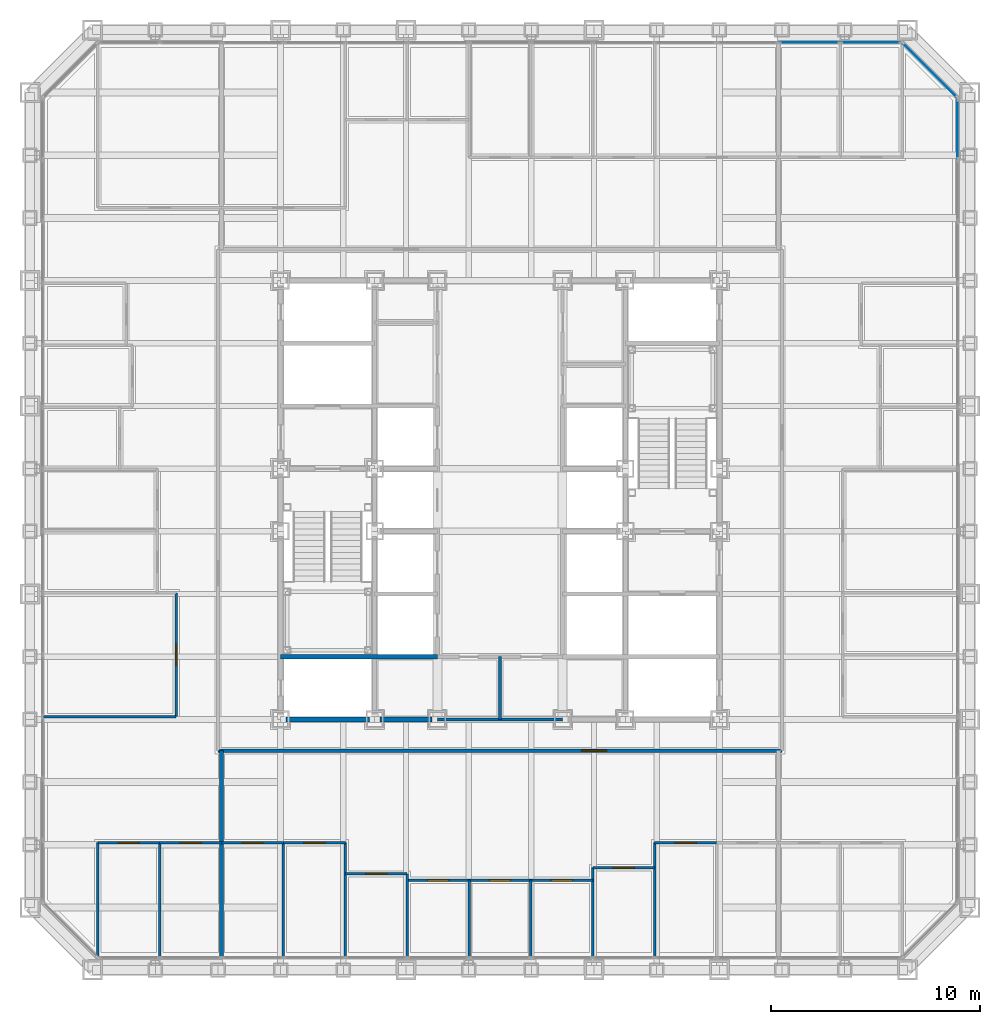
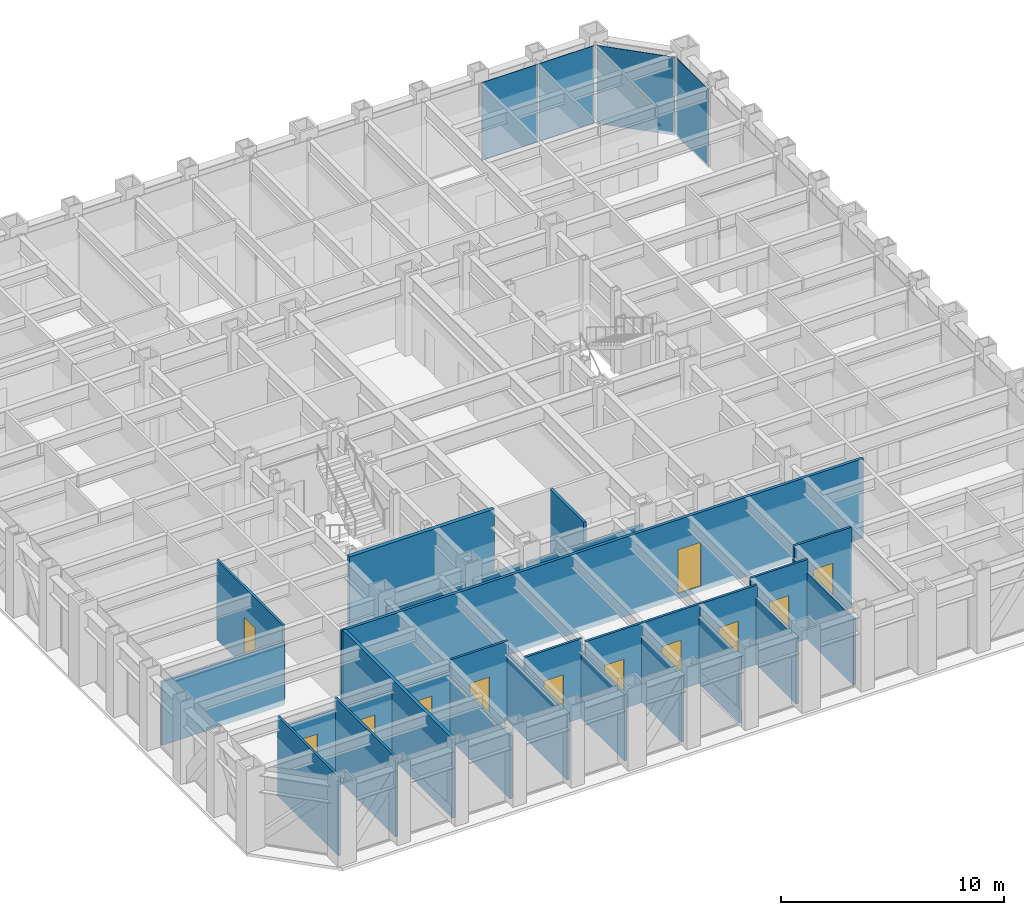
# One storey, part 8 of 16: 28 walls, 12 doors, 4 plates, 12 openings, 3 elements without a shape of their own.
"""IFC4 building model written with IfcOpenShell, lengths in metres."""

from ifc_helpers import new_model, si_unit, direction, frame, frame_2d, origin, origin_2d, place, context, subcontext, project, spatial, rectangle, extrude, material, layer, layer_set, type_object, element, fill, aggregate, save


model = new_model("IFC4")

# Units and contexts
model_context = context("Model", 3, precision=1e-05, world=origin(), true_north=direction((0.0, 1.0)))
body_context = subcontext(model_context, "Body", "Model", "MODEL_VIEW")
ifc_project = project(units=[si_unit("LENGTHUNIT", "METRE"), si_unit("AREAUNIT", "SQUARE_METRE"), si_unit("VOLUMEUNIT", "CUBIC_METRE"), si_unit("PLANEANGLEUNIT", "RADIAN"), si_unit("MASSUNIT", "GRAM", prefix="KILO")], contexts=[model_context])

# Site, building, storey
site_placement = place(None, origin())
site = spatial("IfcSite", under=ifc_project, at=site_placement, CompositionType="ELEMENT")
building_placement = place(site_placement, origin())
building = spatial("IfcBuilding", under=site, at=building_placement, Name="Chuquiago Exchange Tower", CompositionType="ELEMENT")
storey_placement = place(building_placement, frame((0.0, 0.0, 78.300048828125)))
storey = spatial("IfcBuildingStorey", under=building, at=storey_placement, Name="L16", CompositionType="ELEMENT", Elevation=78.300048828125)

# Curtain wall, plate
ifc_material_1 = material(Name="Aluminium curtain wall system", Category="aluminium")
ifc_layer_1 = layer(ifc_material_1, 0.25)
ifc_layer_set_1 = layer_set([ifc_layer_1], Name="CW1 trading floor curtain wall")
curtain_wall_type_1 = type_object("IfcCurtainWallType", Name="CW1 trading floor curtain wall", PredefinedType="NOTDEFINED", material=ifc_layer_set_1)
curtain_wall_1_placement = place(storey_placement, origin())
curtain_wall_1 = element("IfcCurtainWall", 1, at=curtain_wall_1_placement, inside=storey, type_object=curtain_wall_type_1, Name="CW1 curtain wall L16", PredefinedType="NOTDEFINED")
ifc_material_2 = material(Name="Insulated spandrel panel, pale anodised aluminium", Category="aluminium")
ifc_layer_2 = layer(ifc_material_2, 0.031982421875)
ifc_layer_set_2 = layer_set([ifc_layer_2], Name="CW1-P spandrel panel 32")
plate_type_1 = type_object("IfcPlateType", Name="CW1-P spandrel panel 32", PredefinedType="CURTAIN_PANEL", material=ifc_layer_set_2)
plate_1_placement = place(storey_placement, frame((44.39990234375, 40.251953125, -0.22509765625), z_axis=(0.0, 0.0, 1.0), x_axis=(0.0, 1.0, 0.0)))
plate_1 = element("IfcPlate", 2, at=plate_1_placement, type_object=plate_type_1, Name="CW1 panel 13.1", PredefinedType="CURTAIN_PANEL", context=body_context, shape_type="SweptSolid", body=[
    extrude(rectangle(XDim=2.849365234375, YDim=0.031982421875, at=origin_2d()), origin(), (0.0, 0.0, 1.0), 4.264892578125),
])
aggregate(curtain_wall_1, [plate_1])

# Curtain wall, plates
curtain_wall_2_placement = place(storey_placement, origin())
curtain_wall_2 = element("IfcCurtainWall", 3, at=curtain_wall_2_placement, inside=storey, type_object=curtain_wall_type_1, Name="CW1 curtain wall L16", PredefinedType="NOTDEFINED")
plate_2_placement = place(storey_placement, frame((40.251953125, 44.39990234375, -0.22509765625), z_axis=(0.0, 0.0, 1.0), x_axis=(-1.0, 0.0, 0.0)))
plate_2 = element("IfcPlate", 4, at=plate_2_placement, type_object=plate_type_1, Name="CW1 panel 1.1", PredefinedType="CURTAIN_PANEL", context=body_context, shape_type="SweptSolid", body=[
    extrude(rectangle(XDim=2.849365234375, YDim=0.031982421875, at=origin_2d()), origin(), (0.0, 0.0, 1.0), 4.264892578125),
])
plate_3_placement = place(storey_placement, frame((37.308837890625, 44.39990234375, -0.22509765625), z_axis=(0.0, 0.0, 1.0), x_axis=(-1.0, 0.0, 0.0)))
plate_3 = element("IfcPlate", 5, at=plate_3_placement, type_object=plate_type_1, Name="CW1 panel 2.1", PredefinedType="CURTAIN_PANEL", context=body_context, shape_type="SweptSolid", body=[
    extrude(rectangle(XDim=2.88671875, YDim=0.031982421875, at=origin_2d()), origin(), (0.0, 0.0, 1.0), 4.264892578125),
])
aggregate(curtain_wall_2, [plate_2, plate_3])

# Curtain wall, plate
ifc_material_3 = material(Name="Aluminium curtain wall system", Category="aluminium")
ifc_layer_3 = layer(ifc_material_3, 0.199951171875)
ifc_layer_set_3 = layer_set([ifc_layer_3], Name="CW3 facet curtain wall")
curtain_wall_type_2 = type_object("IfcCurtainWallType", Name="CW3 facet curtain wall", PredefinedType="NOTDEFINED", material=ifc_layer_set_3)
curtain_wall_3_placement = place(storey_placement, origin())
curtain_wall_3 = element("IfcCurtainWall", 6, at=curtain_wall_3_placement, inside=storey, type_object=curtain_wall_type_2, Name="CW3 curtain wall L16", PredefinedType="NOTDEFINED")
ifc_material_4 = material(Name="Insulated spandrel panel, pale anodised aluminium", Category="aluminium")
ifc_layer_4 = layer(ifc_material_4, 0.030029296875)
ifc_layer_set_4 = layer_set([ifc_layer_4], Name="CW3-P spandrel panel 30")
plate_type_2 = type_object("IfcPlateType", Name="CW3-P spandrel panel 30", PredefinedType="CURTAIN_PANEL", material=ifc_layer_set_4)
plate_4_placement = place(storey_placement, frame((43.07568359375, 43.07568359375, -0.235107421875), z_axis=(0.0, 0.0, 1.0), x_axis=(-0.707106781187, 0.707106781187, 0.0)))
plate_4 = element("IfcPlate", 7, at=plate_4_placement, type_object=plate_type_2, Name="CW3 panel 1.1", PredefinedType="CURTAIN_PANEL", context=body_context, shape_type="SweptSolid", body=[
    extrude(rectangle(XDim=3.615478515625, YDim=0.030029296875, at=origin_2d()), origin(), (0.0, 0.0, 1.0), 4.27490234375),
])
aggregate(curtain_wall_3, [plate_4])

# Walls
ifc_material_5 = material(Name="Concrete masonry, fully grouted", Category="masonry")
ifc_layer_5 = layer(ifc_material_5, 0.25)
ifc_layer_set_5 = layer_set([ifc_layer_5], Name="W1 core wall 250")
wall_type_1 = type_object("IfcWallType", Name="W1 core wall 250", PredefinedType="SOLIDWALL", material=ifc_layer_set_5)
wall_1_placement = place(storey_placement, frame((12.25, 12.0, 0.0), z_axis=(0.0, 0.0, 1.0), x_axis=(1.0, 0.0, 0.0)))
element("IfcWall", 8, at=wall_1_placement, inside=storey, type_object=wall_type_1, Name="CW-L16-01-0", PredefinedType="SOLIDWALL", context=body_context, shape_type="SweptSolid", body=[
    extrude(rectangle(XDim=4.0, YDim=0.25, at=frame_2d((2.0, 0.0))), origin(), (0.0, 0.0, 1.0), 3.181396484375),
])
wall_2_placement = place(storey_placement, frame((16.75, 12.0, 0.0), z_axis=(0.0, 0.0, 1.0), x_axis=(1.0, 0.0, 0.0)))
element("IfcWall", 9, at=wall_2_placement, inside=storey, type_object=wall_type_1, Name="CW-L16-01-1", PredefinedType="SOLIDWALL", context=body_context, shape_type="SweptSolid", body=[
    extrude(rectangle(XDim=2.5, YDim=0.25, at=frame_2d((1.25, 0.0))), origin(), (0.0, 0.0, 1.0), 3.181396484375),
])

# Wall, opening, door
ifc_material_6 = material(Name="Gypsum board on steel studs, acoustic insulation", Category="steel")
ifc_layer_6 = layer(ifc_material_6, 0.14990234375)
ifc_layer_set_6 = layer_set([ifc_layer_6], Name="W11 corridor wall 150")
wall_type_2 = type_object("IfcWallType", Name="W11 corridor wall 150", PredefinedType="PARTITIONING", material=ifc_layer_set_6)
wall_3_placement = place(storey_placement, frame((9.0, 10.5, -0.300048828125), z_axis=(0.0, 0.0, 1.0), x_axis=(1.0, 0.0, 0.0)))
wall_3 = element("IfcWall", 10, at=wall_3_placement, inside=storey, type_object=wall_type_2, Name="PW-L16-CS", PredefinedType="PARTITIONING", context=body_context, shape_type="SweptSolid", body=[
    extrude(rectangle(XDim=27.0, YDim=0.14990234375, at=frame_2d((13.5, 0.0))), origin(), (0.0, 0.0, 1.0), 4.340087890625),
])
opening_1_placement = place(wall_3_placement, frame((17.39990234375, 0.0, 0.300048828125)))
opening_1 = element("IfcOpeningElement", 11, at=opening_1_placement, cuts=wall_3, Name="Opening L16-056", PredefinedType="OPENING", context=body_context, shape_type="SweptSolid", body=[
    extrude(rectangle(XDim=1.199951171875, YDim=2.39990234375, at=frame_2d((0.60009765625, 1.199951171875))), frame((0.0, 0.0849609375, 0.0), z_axis=(0.0, -1.0, 0.0), x_axis=(1.0, 0.0, 0.0)), (0.0, 0.0, 1.0), 0.169921875),
])
ifc_material_7 = material(Name="Timber door, laminate faced", Category="wood")
door_type_1 = type_object("IfcDoorType", Name="D13 suite entrance door 1200x2400", OperationType="SINGLE_SWING_LEFT", PredefinedType="DOOR", material=ifc_material_7)
door_1_placement = place(opening_1_placement, frame((1.199951171875, 0.0, 0.0), z_axis=(0.0, 0.0, 1.0), x_axis=(-1.0, 0.0, 0.0)))
door_1 = element("IfcDoor", 12, at=door_1_placement, inside=storey, type_object=door_type_1, Name="South suite entrance door", OperationType="SINGLE_SWING_LEFT", OverallHeight=2.39990234375, OverallWidth=1.199951171875, PredefinedType="DOOR", context=body_context, shape_type="SweptSolid", body=[
    extrude(rectangle(XDim=1.199951171875, YDim=2.39990234375, at=frame_2d((0.60009765625, 1.199951171875))), frame((0.0, 0.02490234375, 0.0), z_axis=(0.0, -1.0, 0.0), x_axis=(1.0, 0.0, 0.0)), (0.0, 0.0, 1.0), 0.050048828125),
])
fill(opening_1, door_1)

# Walls
ifc_material_8 = material(Name="Gypsum board on twin steel studs, acoustic insulation", Category="steel")
ifc_layer_7 = layer(ifc_material_8, 0.175048828125)
ifc_layer_set_7 = layer_set([ifc_layer_7], Name="W12 tenant demising wall 175")
wall_type_3 = type_object("IfcWallType", Name="W12 tenant demising wall 175", PredefinedType="PARTITIONING", material=ifc_layer_set_7)
wall_4_placement = place(storey_placement, frame((9.172119140625, 0.657470703125, -0.300048828125), z_axis=(0.0, 0.0, 1.0), x_axis=(0.0, 1.0, 0.0)))
element("IfcWall", 13, at=wall_4_placement, inside=storey, type_object=wall_type_3, Name="PW-L16-DS00917", PredefinedType="PARTITIONING", context=body_context, shape_type="SweptSolid", body=[
    extrude(rectangle(XDim=9.842529296875, YDim=0.175048828125, at=frame_2d((4.92138671875, 0.0))), origin(), (0.0, 0.0, 1.0), 4.340087890625),
])
ifc_material_9 = material(Name="Concrete masonry, fully grouted", Category="masonry")
ifc_layer_8 = layer(ifc_material_9, 0.199951171875)
ifc_layer_set_8 = layer_set([ifc_layer_8], Name="W2 shaft wall 200")
wall_type_4 = type_object("IfcWallType", Name="W2 shaft wall 200", PredefinedType="SOLIDWALL", material=ifc_layer_set_8)
wall_5_placement = place(storey_placement, frame((12.0, 15.0, 0.0), z_axis=(0.0, 0.0, 1.0), x_axis=(1.0, 0.0, 0.0)))
element("IfcWall", 14, at=wall_5_placement, inside=storey, type_object=wall_type_4, Name="CW-L16-03-0", PredefinedType="SOLIDWALL", context=body_context, shape_type="SweptSolid", body=[
    extrude(rectangle(XDim=7.5, YDim=0.199951171875, at=frame_2d((3.75, 0.0))), origin(), (0.0, 0.0, 1.0), 4.33984375),
])
ifc_material_10 = material(Name="Gypsum board on steel studs", Category="steel")
ifc_layer_9 = layer(ifc_material_10, 0.14990234375)
ifc_layer_set_9 = layer_set([ifc_layer_9], Name="W3 core partition 150")
wall_type_5 = type_object("IfcWallType", Name="W3 core partition 150", PredefinedType="PARTITIONING", material=ifc_layer_set_9)
wall_6_placement = place(storey_placement, frame((22.5, 15.0, 0.0), z_axis=(0.0, 0.0, 1.0), x_axis=(0.0, -1.0, 0.0)))
element("IfcWall", 15, at=wall_6_placement, inside=storey, type_object=wall_type_5, Name="CW-L16-TM", PredefinedType="PARTITIONING", context=body_context, shape_type="SweptSolid", body=[
    extrude(rectangle(XDim=3.0, YDim=0.14990234375, at=frame_2d((1.5, 0.0))), origin(), (0.0, 0.0, 1.0), 4.33984375),
])
wall_7_placement = place(storey_placement, frame((19.5, 12.0, 0.0), z_axis=(0.0, 0.0, 1.0), x_axis=(1.0, 0.0, 0.0)))
element("IfcWall", 16, at=wall_7_placement, inside=storey, type_object=wall_type_5, Name="CW-L16-TB", PredefinedType="PARTITIONING", context=body_context, shape_type="SweptSolid", body=[
    extrude(rectangle(XDim=6.0, YDim=0.14990234375, at=frame_2d((3.0, 0.0))), origin(), (0.0, 0.0, 1.0), 3.181396484375),
])
ifc_material_11 = material(Name="Gypsum board on steel studs", Category="steel")
ifc_layer_10 = layer(ifc_material_11, 0.1201171875)
ifc_layer_set_10 = layer_set([ifc_layer_10], Name="W4 partition 120")
wall_type_6 = type_object("IfcWallType", Name="W4 partition 120", PredefinedType="PARTITIONING", material=ifc_layer_set_10)
wall_8_placement = place(storey_placement, frame((3.24853515625, 0.666015625, -0.300048828125), z_axis=(0.0, 0.0, 1.0), x_axis=(0.0, 1.0, 0.0)))
element("IfcWall", 17, at=wall_8_placement, inside=storey, type_object=wall_type_6, Name="PW-L16-S00325", PredefinedType="PARTITIONING", context=body_context, shape_type="SweptSolid", body=[
    extrude(rectangle(XDim=5.43408203125, YDim=0.1201171875, at=frame_2d((2.717041015625, 0.0))), origin(), (0.0, 0.0, 1.0), 4.340087890625),
])
wall_9_placement = place(storey_placement, frame((6.210205078125, 0.657470703125, -0.300048828125), z_axis=(0.0, 0.0, 1.0), x_axis=(0.0, 1.0, 0.0)))
element("IfcWall", 18, at=wall_9_placement, inside=storey, type_object=wall_type_6, Name="PW-L16-S00621", PredefinedType="PARTITIONING", context=body_context, shape_type="SweptSolid", body=[
    extrude(rectangle(XDim=5.442626953125, YDim=0.1201171875, at=frame_2d((2.72119140625, 0.0))), origin(), (0.0, 0.0, 1.0), 4.340087890625),
])
wall_10_placement = place(storey_placement, frame((12.1337890625, 0.657470703125, -0.300048828125), z_axis=(0.0, 0.0, 1.0), x_axis=(0.0, 1.0, 0.0)))
element("IfcWall", 19, at=wall_10_placement, inside=storey, type_object=wall_type_6, Name="PW-L16-S01213", PredefinedType="PARTITIONING", context=body_context, shape_type="SweptSolid", body=[
    extrude(rectangle(XDim=5.442626953125, YDim=0.1201171875, at=frame_2d((2.72119140625, 0.0))), origin(), (0.0, 0.0, 1.0), 3.4814453125),
])
wall_11_placement = place(storey_placement, frame((15.095703125, 0.657470703125, -0.300048828125), z_axis=(0.0, 0.0, 1.0), x_axis=(0.0, 1.0, 0.0)))
element("IfcWall", 20, at=wall_11_placement, inside=storey, type_object=wall_type_6, Name="PW-L16-S01510", PredefinedType="PARTITIONING", context=body_context, shape_type="SweptSolid", body=[
    extrude(rectangle(XDim=5.442626953125, YDim=0.1201171875, at=frame_2d((2.72119140625, 0.0))), origin(), (0.0, 0.0, 1.0), 3.646484375),
])
wall_12_placement = place(storey_placement, frame((18.057373046875, 0.657470703125, -0.300048828125), z_axis=(0.0, 0.0, 1.0), x_axis=(0.0, 1.0, 0.0)))
element("IfcWall", 21, at=wall_12_placement, inside=storey, type_object=wall_type_6, Name="PW-L16-S01806", PredefinedType="PARTITIONING", context=body_context, shape_type="SweptSolid", body=[
    extrude(rectangle(XDim=3.942626953125, YDim=0.1201171875, at=frame_2d((1.97119140625, 0.0))), origin(), (0.0, 0.0, 1.0), 3.646484375),
])
for number, where, z_axis, x_axis, name in (
    (22, (21.01904296875, 0.657470703125, -0.300048828125), (0.0, 0.0, 1.0), (0.0, 1.0, 0.0), "PW-L16-S02102"),
    (23, (23.98095703125, 0.657470703125, -0.300048828125), (0.0, 0.0, 1.0), (0.0, 1.0, 0.0), "PW-L16-S02398"),
):
    element("IfcWall", number, at=place(storey_placement, frame(where, z_axis=z_axis, x_axis=x_axis)), inside=storey, type_object=wall_type_6, Name=name, PredefinedType="PARTITIONING", context=body_context, shape_type="SweptSolid", body=[
        extrude(rectangle(XDim=3.642578125, YDim=0.1201171875, at=frame_2d((1.8212890625, 0.0))), origin(), (0.0, 0.0, 1.0), 3.646484375),
    ])
wall_13_placement = place(storey_placement, frame((26.942626953125, 0.657470703125, -0.300048828125), z_axis=(0.0, 0.0, 1.0), x_axis=(0.0, 1.0, 0.0)))
element("IfcWall", 24, at=wall_13_placement, inside=storey, type_object=wall_type_6, Name="PW-L16-S02694", PredefinedType="PARTITIONING", context=body_context, shape_type="SweptSolid", body=[
    extrude(rectangle(XDim=4.242431640625, YDim=0.1201171875, at=frame_2d((2.12109375, 0.0))), origin(), (0.0, 0.0, 1.0), 3.646484375),
])
wall_14_placement = place(storey_placement, frame((29.904296875, 0.657470703125, -0.300048828125), z_axis=(0.0, 0.0, 1.0), x_axis=(0.0, 1.0, 0.0)))
element("IfcWall", 25, at=wall_14_placement, inside=storey, type_object=wall_type_6, Name="PW-L16-S02990", PredefinedType="PARTITIONING", context=body_context, shape_type="SweptSolid", body=[
    extrude(rectangle(XDim=5.442626953125, YDim=0.1201171875, at=frame_2d((2.72119140625, 0.0))), origin(), (0.0, 0.0, 1.0), 3.646484375),
])

# Wall, opening, door
wall_15_placement = place(storey_placement, frame((3.24853515625, 6.10009765625, -0.300048828125), z_axis=(0.0, 0.0, 1.0), x_axis=(1.0, 0.0, 0.0)))
wall_15 = element("IfcWall", 26, at=wall_15_placement, inside=storey, type_object=wall_type_6, Name="PW-L16-SF00325", PredefinedType="PARTITIONING", context=body_context, shape_type="SweptSolid", body=[
    extrude(rectangle(XDim=2.961669921875, YDim=0.1201171875, at=frame_2d((1.48095703125, 0.0))), origin(), (0.0, 0.0, 1.0), 3.722900390625),
])
opening_2_placement = place(wall_15_placement, frame((0.98095703125, 0.0, 0.300048828125)))
opening_2 = element("IfcOpeningElement", 27, at=opening_2_placement, cuts=wall_15, Name="Opening L16-021", PredefinedType="OPENING", context=body_context, shape_type="SweptSolid", body=[
    extrude(rectangle(XDim=1.0, YDim=2.39990234375, at=frame_2d((0.5, 1.199951171875))), frame((0.0, 0.070068359375, 0.0), z_axis=(0.0, -1.0, 0.0), x_axis=(1.0, 0.0, 0.0)), (0.0, 0.0, 1.0), 0.14013671875),
])
ifc_material_12 = material(Name="Timber door, laminate faced", Category="wood")
door_type_2 = type_object("IfcDoorType", Name="D9 room door 1000x2400", OperationType="SINGLE_SWING_LEFT", PredefinedType="DOOR", material=ifc_material_12)
door_2_placement = place(opening_2_placement, frame((1.0, 0.0, 0.0), z_axis=(0.0, 0.0, 1.0), x_axis=(-1.0, 0.0, 0.0)))
door_2 = element("IfcDoor", 28, at=door_2_placement, inside=storey, type_object=door_type_2, Name="Office door", OperationType="SINGLE_SWING_RIGHT", OverallHeight=2.39990234375, OverallWidth=1.0, PredefinedType="DOOR", context=body_context, shape_type="SweptSolid", body=[
    extrude(rectangle(XDim=1.0, YDim=2.39990234375, at=frame_2d((0.5, 1.199951171875))), frame((0.0, 0.02490234375, 0.0), z_axis=(0.0, -1.0, 0.0), x_axis=(1.0, 0.0, 0.0)), (0.0, 0.0, 1.0), 0.050048828125),
])
fill(opening_2, door_2)

wall_16_placement = place(storey_placement, frame((6.210205078125, 6.10009765625, -0.300048828125), z_axis=(0.0, 0.0, 1.0), x_axis=(1.0, 0.0, 0.0)))
wall_16 = element("IfcWall", 29, at=wall_16_placement, inside=storey, type_object=wall_type_6, Name="PW-L16-SF00621", PredefinedType="PARTITIONING", context=body_context, shape_type="SweptSolid", body=[
    extrude(rectangle(XDim=2.9619140625, YDim=0.1201171875, at=frame_2d((1.48095703125, 0.0))), origin(), (0.0, 0.0, 1.0), 3.722900390625),
])
opening_3_placement = place(wall_16_placement, frame((0.98095703125, 0.0, 0.300048828125)))
opening_3 = element("IfcOpeningElement", 30, at=opening_3_placement, cuts=wall_16, Name="Opening L16-022", PredefinedType="OPENING", context=body_context, shape_type="SweptSolid", body=[
    extrude(rectangle(XDim=1.0, YDim=2.39990234375, at=frame_2d((0.5, 1.199951171875))), frame((0.0, 0.070068359375, 0.0), z_axis=(0.0, -1.0, 0.0), x_axis=(1.0, 0.0, 0.0)), (0.0, 0.0, 1.0), 0.14013671875),
])
door_3_placement = place(opening_3_placement, frame((1.0, 0.0, 0.0), z_axis=(0.0, 0.0, 1.0), x_axis=(-1.0, 0.0, 0.0)))
door_3 = element("IfcDoor", 31, at=door_3_placement, inside=storey, type_object=door_type_2, Name="Office door", OperationType="SINGLE_SWING_LEFT", OverallHeight=2.39990234375, OverallWidth=1.0, PredefinedType="DOOR", context=body_context, shape_type="SweptSolid", body=[
    extrude(rectangle(XDim=1.0, YDim=2.39990234375, at=frame_2d((0.5, 1.199951171875))), frame((0.0, 0.02490234375, 0.0), z_axis=(0.0, -1.0, 0.0), x_axis=(1.0, 0.0, 0.0)), (0.0, 0.0, 1.0), 0.050048828125),
])
fill(opening_3, door_3)

wall_17_placement = place(storey_placement, frame((9.172119140625, 6.10009765625, -0.300048828125), z_axis=(0.0, 0.0, 1.0), x_axis=(1.0, 0.0, 0.0)))
wall_17 = element("IfcWall", 32, at=wall_17_placement, inside=storey, type_object=wall_type_6, Name="PW-L16-SF00917", PredefinedType="PARTITIONING", context=body_context, shape_type="SweptSolid", body=[
    extrude(rectangle(XDim=2.961669921875, YDim=0.1201171875, at=frame_2d((1.48095703125, 0.0))), origin(), (0.0, 0.0, 1.0), 3.722900390625),
])
opening_4_placement = place(wall_17_placement, frame((0.98095703125, 0.0, 0.300048828125)))
opening_4 = element("IfcOpeningElement", 33, at=opening_4_placement, cuts=wall_17, Name="Opening L16-023", PredefinedType="OPENING", context=body_context, shape_type="SweptSolid", body=[
    extrude(rectangle(XDim=1.0, YDim=2.39990234375, at=frame_2d((0.5, 1.199951171875))), frame((0.0, 0.070068359375, 0.0), z_axis=(0.0, -1.0, 0.0), x_axis=(1.0, 0.0, 0.0)), (0.0, 0.0, 1.0), 0.14013671875),
])
door_4_placement = place(opening_4_placement, frame((1.0, 0.0, 0.0), z_axis=(0.0, 0.0, 1.0), x_axis=(-1.0, 0.0, 0.0)))
door_4 = element("IfcDoor", 34, at=door_4_placement, inside=storey, type_object=door_type_2, Name="Office door", OperationType="SINGLE_SWING_RIGHT", OverallHeight=2.39990234375, OverallWidth=1.0, PredefinedType="DOOR", context=body_context, shape_type="SweptSolid", body=[
    extrude(rectangle(XDim=1.0, YDim=2.39990234375, at=frame_2d((0.5, 1.199951171875))), frame((0.0, 0.02490234375, 0.0), z_axis=(0.0, -1.0, 0.0), x_axis=(1.0, 0.0, 0.0)), (0.0, 0.0, 1.0), 0.050048828125),
])
fill(opening_4, door_4)

wall_18_placement = place(storey_placement, frame((12.1337890625, 6.10009765625, -0.300048828125), z_axis=(0.0, 0.0, 1.0), x_axis=(1.0, 0.0, 0.0)))
wall_18 = element("IfcWall", 35, at=wall_18_placement, inside=storey, type_object=wall_type_6, Name="PW-L16-SF01213", PredefinedType="PARTITIONING", context=body_context, shape_type="SweptSolid", body=[
    extrude(rectangle(XDim=2.9619140625, YDim=0.1201171875, at=frame_2d((1.48095703125, 0.0))), origin(), (0.0, 0.0, 1.0), 4.340087890625),
])
opening_5_placement = place(wall_18_placement, frame((0.98095703125, 0.0, 0.300048828125)))
opening_5 = element("IfcOpeningElement", 36, at=opening_5_placement, cuts=wall_18, Name="Opening L16-024", PredefinedType="OPENING", context=body_context, shape_type="SweptSolid", body=[
    extrude(rectangle(XDim=1.0, YDim=2.39990234375, at=frame_2d((0.5, 1.199951171875))), frame((0.0, 0.070068359375, 0.0), z_axis=(0.0, -1.0, 0.0), x_axis=(1.0, 0.0, 0.0)), (0.0, 0.0, 1.0), 0.14013671875),
])
door_5_placement = place(opening_5_placement, frame((1.0, 0.0, 0.0), z_axis=(0.0, 0.0, 1.0), x_axis=(-1.0, 0.0, 0.0)))
door_5 = element("IfcDoor", 37, at=door_5_placement, inside=storey, type_object=door_type_2, Name="Office door", OperationType="SINGLE_SWING_LEFT", OverallHeight=2.39990234375, OverallWidth=1.0, PredefinedType="DOOR", context=body_context, shape_type="SweptSolid", body=[
    extrude(rectangle(XDim=1.0, YDim=2.39990234375, at=frame_2d((0.5, 1.199951171875))), frame((0.0, 0.02490234375, 0.0), z_axis=(0.0, -1.0, 0.0), x_axis=(1.0, 0.0, 0.0)), (0.0, 0.0, 1.0), 0.050048828125),
])
fill(opening_5, door_5)

wall_19_placement = place(storey_placement, frame((15.095703125, 4.60009765625, -0.300048828125), z_axis=(0.0, 0.0, 1.0), x_axis=(1.0, 0.0, 0.0)))
wall_19 = element("IfcWall", 38, at=wall_19_placement, inside=storey, type_object=wall_type_6, Name="PW-L16-SF01510", PredefinedType="PARTITIONING", context=body_context, shape_type="SweptSolid", body=[
    extrude(rectangle(XDim=2.961669921875, YDim=0.1201171875, at=frame_2d((1.48095703125, 0.0))), origin(), (0.0, 0.0, 1.0), 4.340087890625),
])
opening_6_placement = place(wall_19_placement, frame((0.98095703125, 0.0, 0.300048828125)))
opening_6 = element("IfcOpeningElement", 39, at=opening_6_placement, cuts=wall_19, Name="Opening L16-025", PredefinedType="OPENING", context=body_context, shape_type="SweptSolid", body=[
    extrude(rectangle(XDim=1.0, YDim=2.39990234375, at=frame_2d((0.5, 1.199951171875))), frame((0.0, 0.070068359375, 0.0), z_axis=(0.0, -1.0, 0.0), x_axis=(1.0, 0.0, 0.0)), (0.0, 0.0, 1.0), 0.14013671875),
])
door_6_placement = place(opening_6_placement, frame((1.0, 0.0, 0.0), z_axis=(0.0, 0.0, 1.0), x_axis=(-1.0, 0.0, 0.0)))
door_6 = element("IfcDoor", 40, at=door_6_placement, inside=storey, type_object=door_type_2, Name="Store door", OperationType="SINGLE_SWING_RIGHT", OverallHeight=2.39990234375, OverallWidth=1.0, PredefinedType="DOOR", context=body_context, shape_type="SweptSolid", body=[
    extrude(rectangle(XDim=1.0, YDim=2.39990234375, at=frame_2d((0.5, 1.199951171875))), frame((0.0, 0.02490234375, 0.0), z_axis=(0.0, -1.0, 0.0), x_axis=(1.0, 0.0, 0.0)), (0.0, 0.0, 1.0), 0.050048828125),
])
fill(opening_6, door_6)

wall_20_placement = place(storey_placement, frame((18.057373046875, 4.300048828125, -0.300048828125), z_axis=(0.0, 0.0, 1.0), x_axis=(1.0, 0.0, 0.0)))
wall_20 = element("IfcWall", 41, at=wall_20_placement, inside=storey, type_object=wall_type_6, Name="PW-L16-SF01806", PredefinedType="PARTITIONING", context=body_context, shape_type="SweptSolid", body=[
    extrude(rectangle(XDim=2.961669921875, YDim=0.1201171875, at=frame_2d((1.48095703125, 0.0))), origin(), (0.0, 0.0, 1.0), 4.340087890625),
])
opening_7_placement = place(wall_20_placement, frame((0.98095703125, 0.0, 0.300048828125)))
opening_7 = element("IfcOpeningElement", 42, at=opening_7_placement, cuts=wall_20, Name="Opening L16-026", PredefinedType="OPENING", context=body_context, shape_type="SweptSolid", body=[
    extrude(rectangle(XDim=1.0, YDim=2.39990234375, at=frame_2d((0.5, 1.199951171875))), frame((0.0, 0.070068359375, 0.0), z_axis=(0.0, -1.0, 0.0), x_axis=(1.0, 0.0, 0.0)), (0.0, 0.0, 1.0), 0.14013671875),
])
ifc_material_13 = material(Name="Timber frame door, full height glazed panel", Category="wood")
door_type_3 = type_object("IfcDoorType", Name="D14 glazed meeting room door 1000x2400", OperationType="SINGLE_SWING_LEFT", PredefinedType="DOOR", material=ifc_material_13)
door_7_placement = place(opening_7_placement, frame((1.0, 0.0, 0.0), z_axis=(0.0, 0.0, 1.0), x_axis=(-1.0, 0.0, 0.0)))
door_7 = element("IfcDoor", 43, at=door_7_placement, inside=storey, type_object=door_type_3, Name="Focus room door", OperationType="SINGLE_SWING_LEFT", OverallHeight=2.39990234375, OverallWidth=1.0, PredefinedType="DOOR", context=body_context, shape_type="SweptSolid", body=[
    extrude(rectangle(XDim=1.0, YDim=2.39990234375, at=frame_2d((0.5, 1.199951171875))), frame((0.0, 0.02490234375, 0.0), z_axis=(0.0, -1.0, 0.0), x_axis=(1.0, 0.0, 0.0)), (0.0, 0.0, 1.0), 0.050048828125),
])
fill(opening_7, door_7)

wall_21_placement = place(storey_placement, frame((21.01904296875, 4.300048828125, -0.300048828125), z_axis=(0.0, 0.0, 1.0), x_axis=(1.0, 0.0, 0.0)))
wall_21 = element("IfcWall", 44, at=wall_21_placement, inside=storey, type_object=wall_type_6, Name="PW-L16-SF02102", PredefinedType="PARTITIONING", context=body_context, shape_type="SweptSolid", body=[
    extrude(rectangle(XDim=2.9619140625, YDim=0.1201171875, at=frame_2d((1.48095703125, 0.0))), origin(), (0.0, 0.0, 1.0), 4.340087890625),
])
opening_8_placement = place(wall_21_placement, frame((0.98095703125, 0.0, 0.300048828125)))
opening_8 = element("IfcOpeningElement", 45, at=opening_8_placement, cuts=wall_21, Name="Opening L16-027", PredefinedType="OPENING", context=body_context, shape_type="SweptSolid", body=[
    extrude(rectangle(XDim=1.0, YDim=2.39990234375, at=frame_2d((0.5, 1.199951171875))), frame((0.0, 0.070068359375, 0.0), z_axis=(0.0, -1.0, 0.0), x_axis=(1.0, 0.0, 0.0)), (0.0, 0.0, 1.0), 0.14013671875),
])
door_8_placement = place(opening_8_placement, frame((1.0, 0.0, 0.0), z_axis=(0.0, 0.0, 1.0), x_axis=(-1.0, 0.0, 0.0)))
door_8 = element("IfcDoor", 46, at=door_8_placement, inside=storey, type_object=door_type_3, Name="Focus room door", OperationType="SINGLE_SWING_LEFT", OverallHeight=2.39990234375, OverallWidth=1.0, PredefinedType="DOOR", context=body_context, shape_type="SweptSolid", body=[
    extrude(rectangle(XDim=1.0, YDim=2.39990234375, at=frame_2d((0.5, 1.199951171875))), frame((0.0, 0.02490234375, 0.0), z_axis=(0.0, -1.0, 0.0), x_axis=(1.0, 0.0, 0.0)), (0.0, 0.0, 1.0), 0.050048828125),
])
fill(opening_8, door_8)

wall_22_placement = place(storey_placement, frame((23.98095703125, 4.300048828125, -0.300048828125), z_axis=(0.0, 0.0, 1.0), x_axis=(1.0, 0.0, 0.0)))
wall_22 = element("IfcWall", 47, at=wall_22_placement, inside=storey, type_object=wall_type_6, Name="PW-L16-SF02398", PredefinedType="PARTITIONING", context=body_context, shape_type="SweptSolid", body=[
    extrude(rectangle(XDim=2.961669921875, YDim=0.1201171875, at=frame_2d((1.48095703125, 0.0))), origin(), (0.0, 0.0, 1.0), 4.340087890625),
])
opening_9_placement = place(wall_22_placement, frame((0.98095703125, 0.0, 0.300048828125)))
opening_9 = element("IfcOpeningElement", 48, at=opening_9_placement, cuts=wall_22, Name="Opening L16-028", PredefinedType="OPENING", context=body_context, shape_type="SweptSolid", body=[
    extrude(rectangle(XDim=1.0, YDim=2.39990234375, at=frame_2d((0.5, 1.199951171875))), frame((0.0, 0.070068359375, 0.0), z_axis=(0.0, -1.0, 0.0), x_axis=(1.0, 0.0, 0.0)), (0.0, 0.0, 1.0), 0.14013671875),
])
door_9_placement = place(opening_9_placement, frame((1.0, 0.0, 0.0), z_axis=(0.0, 0.0, 1.0), x_axis=(-1.0, 0.0, 0.0)))
door_9 = element("IfcDoor", 49, at=door_9_placement, inside=storey, type_object=door_type_3, Name="Focus room door", OperationType="SINGLE_SWING_LEFT", OverallHeight=2.39990234375, OverallWidth=1.0, PredefinedType="DOOR", context=body_context, shape_type="SweptSolid", body=[
    extrude(rectangle(XDim=1.0, YDim=2.39990234375, at=frame_2d((0.5, 1.199951171875))), frame((0.0, 0.02490234375, 0.0), z_axis=(0.0, -1.0, 0.0), x_axis=(1.0, 0.0, 0.0)), (0.0, 0.0, 1.0), 0.050048828125),
])
fill(opening_9, door_9)

wall_23_placement = place(storey_placement, frame((26.942626953125, 4.89990234375, -0.300048828125), z_axis=(0.0, 0.0, 1.0), x_axis=(1.0, 0.0, 0.0)))
wall_23 = element("IfcWall", 50, at=wall_23_placement, inside=storey, type_object=wall_type_6, Name="PW-L16-SF02694", PredefinedType="PARTITIONING", context=body_context, shape_type="SweptSolid", body=[
    extrude(rectangle(XDim=2.961669921875, YDim=0.1201171875, at=frame_2d((1.48095703125, 0.0))), origin(), (0.0, 0.0, 1.0), 4.340087890625),
])
opening_10_placement = place(wall_23_placement, frame((0.98095703125, 0.0, 0.300048828125)))
opening_10 = element("IfcOpeningElement", 51, at=opening_10_placement, cuts=wall_23, Name="Opening L16-029", PredefinedType="OPENING", context=body_context, shape_type="SweptSolid", body=[
    extrude(rectangle(XDim=1.0, YDim=2.39990234375, at=frame_2d((0.5, 1.199951171875))), frame((0.0, 0.070068359375, 0.0), z_axis=(0.0, -1.0, 0.0), x_axis=(1.0, 0.0, 0.0)), (0.0, 0.0, 1.0), 0.14013671875),
])
door_10_placement = place(opening_10_placement, frame((1.0, 0.0, 0.0), z_axis=(0.0, 0.0, 1.0), x_axis=(-1.0, 0.0, 0.0)))
door_10 = element("IfcDoor", 52, at=door_10_placement, inside=storey, type_object=door_type_2, Name="Pantry door", OperationType="SINGLE_SWING_RIGHT", OverallHeight=2.39990234375, OverallWidth=1.0, PredefinedType="DOOR", context=body_context, shape_type="SweptSolid", body=[
    extrude(rectangle(XDim=1.0, YDim=2.39990234375, at=frame_2d((0.5, 1.199951171875))), frame((0.0, 0.02490234375, 0.0), z_axis=(0.0, -1.0, 0.0), x_axis=(1.0, 0.0, 0.0)), (0.0, 0.0, 1.0), 0.050048828125),
])
fill(opening_10, door_10)

wall_24_placement = place(storey_placement, frame((29.904296875, 6.10009765625, -0.300048828125), z_axis=(0.0, 0.0, 1.0), x_axis=(1.0, 0.0, 0.0)))
wall_24 = element("IfcWall", 53, at=wall_24_placement, inside=storey, type_object=wall_type_6, Name="PW-L16-SF02990", PredefinedType="PARTITIONING", context=body_context, shape_type="SweptSolid", body=[
    extrude(rectangle(XDim=2.9619140625, YDim=0.1201171875, at=frame_2d((1.48095703125, 0.0))), origin(), (0.0, 0.0, 1.0), 4.340087890625),
])
opening_11_placement = place(wall_24_placement, frame((0.98095703125, 0.0, 0.300048828125)))
opening_11 = element("IfcOpeningElement", 54, at=opening_11_placement, cuts=wall_24, Name="Opening L16-030", PredefinedType="OPENING", context=body_context, shape_type="SweptSolid", body=[
    extrude(rectangle(XDim=1.0, YDim=2.39990234375, at=frame_2d((0.5, 1.199951171875))), frame((0.0, 0.070068359375, 0.0), z_axis=(0.0, -1.0, 0.0), x_axis=(1.0, 0.0, 0.0)), (0.0, 0.0, 1.0), 0.14013671875),
])
door_11_placement = place(opening_11_placement, frame((1.0, 0.0, 0.0), z_axis=(0.0, 0.0, 1.0), x_axis=(-1.0, 0.0, 0.0)))
door_11 = element("IfcDoor", 55, at=door_11_placement, inside=storey, type_object=door_type_3, Name="Meeting room door", OperationType="SINGLE_SWING_RIGHT", OverallHeight=2.39990234375, OverallWidth=1.0, PredefinedType="DOOR", context=body_context, shape_type="SweptSolid", body=[
    extrude(rectangle(XDim=1.0, YDim=2.39990234375, at=frame_2d((0.5, 1.199951171875))), frame((0.0, 0.02490234375, 0.0), z_axis=(0.0, -1.0, 0.0), x_axis=(1.0, 0.0, 0.0)), (0.0, 0.0, 1.0), 0.050048828125),
])
fill(opening_11, door_11)

# Wall
wall_25_placement = place(storey_placement, frame((0.657470703125, 12.1337890625, -0.300048828125), z_axis=(0.0, 0.0, 1.0), x_axis=(1.0, 0.0, 0.0)))
element("IfcWall", 56, at=wall_25_placement, inside=storey, type_object=wall_type_6, Name="PW-L16-W01213", PredefinedType="PARTITIONING", context=body_context, shape_type="SweptSolid", body=[
    extrude(rectangle(XDim=6.342529296875, YDim=0.1201171875, at=frame_2d((3.17138671875, 0.0))), origin(), (0.0, 0.0, 1.0), 3.4814453125),
])

# Wall, opening, door
wall_26_placement = place(storey_placement, frame((7.0, 12.1337890625, -0.300048828125), z_axis=(0.0, 0.0, 1.0), x_axis=(0.0, 1.0, 0.0)))
wall_26 = element("IfcWall", 57, at=wall_26_placement, inside=storey, type_object=wall_type_6, Name="PW-L16-WF01213", PredefinedType="PARTITIONING", context=body_context, shape_type="SweptSolid", body=[
    extrude(rectangle(XDim=5.923583984375, YDim=0.1201171875, at=frame_2d((2.9619140625, 0.0))), origin(), (0.0, 0.0, 1.0), 4.340087890625),
])
opening_12_placement = place(wall_26_placement, frame((2.4619140625, 0.0, 0.300048828125)))
opening_12 = element("IfcOpeningElement", 58, at=opening_12_placement, cuts=wall_26, Name="Opening L16-050", PredefinedType="OPENING", context=body_context, shape_type="SweptSolid", body=[
    extrude(rectangle(XDim=1.0, YDim=2.39990234375, at=frame_2d((0.5, 1.199951171875))), frame((0.0, 0.070068359375, 0.0), z_axis=(0.0, -1.0, 0.0), x_axis=(1.0, 0.0, 0.0)), (0.0, 0.0, 1.0), 0.14013671875),
])
door_12_placement = place(opening_12_placement, origin())
door_12 = element("IfcDoor", 59, at=door_12_placement, inside=storey, type_object=door_type_3, Name="Conference room door", OperationType="SINGLE_SWING_LEFT", OverallHeight=2.39990234375, OverallWidth=1.0, PredefinedType="DOOR", context=body_context, shape_type="SweptSolid", body=[
    extrude(rectangle(XDim=1.0, YDim=2.39990234375, at=frame_2d((0.5, 1.199951171875))), frame((0.0, 0.02490234375, 0.0), z_axis=(0.0, -1.0, 0.0), x_axis=(1.0, 0.0, 0.0)), (0.0, 0.0, 1.0), 0.050048828125),
])
fill(opening_12, door_12)

save(model, "model.ifc")
